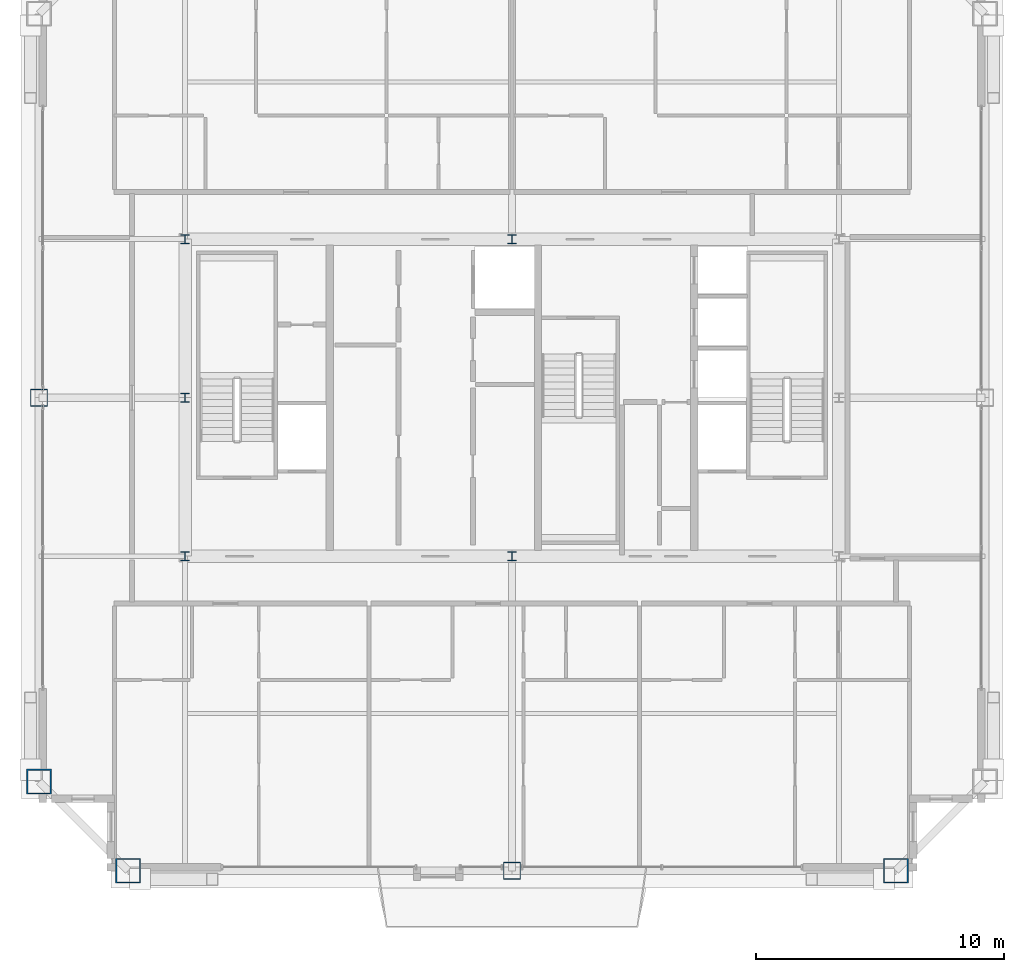
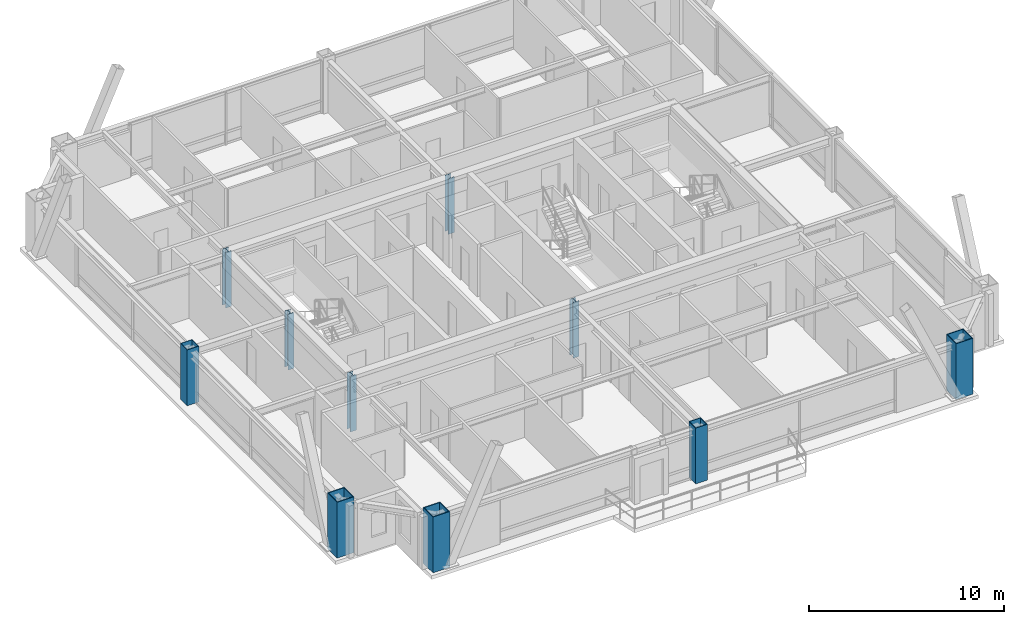
# One storey, part 1 of 35: 10 columns.
"""IFC4 building model written with IfcOpenShell, lengths in metres."""

from ifc_helpers import new_model, si_unit, direction, frame, origin, origin_2d, place, context, subcontext, project, spatial, hollow_rectangle, i_section, extrude, source, transform, mapped, material, material_profile, profile_set, type_object, element, save


model = new_model("IFC4")

# Units and contexts
model_context = context("Model", 3, precision=1e-05, world=origin(), true_north=direction((0.0, 1.0)))
body_context = subcontext(model_context, "Body", "Model", "MODEL_VIEW")
ifc_project = project(units=[si_unit("LENGTHUNIT", "METRE"), si_unit("AREAUNIT", "SQUARE_METRE"), si_unit("VOLUMEUNIT", "CUBIC_METRE"), si_unit("PLANEANGLEUNIT", "RADIAN"), si_unit("MASSUNIT", "GRAM", prefix="KILO"), si_unit("THERMODYNAMICTEMPERATUREUNIT", "KELVIN"), si_unit("POWERUNIT", "WATT")], contexts=[model_context])

# Site, building, storey
site_placement = place(None, origin())
site = spatial("IfcSite", under=ifc_project, at=site_placement, CompositionType="ELEMENT")
building_placement = place(site_placement, origin())
building = spatial("IfcBuilding", under=site, at=building_placement, Name="Yuzanri Waterfront Tower", CompositionType="ELEMENT")
storey_placement = place(building_placement, frame((0.0, 0.0, 314.699951171875)))
storey = spatial("IfcBuildingStorey", under=building, at=storey_placement, Name="L84", CompositionType="ELEMENT", Elevation=314.699951171875)

# Columns
ifc_material_1 = material(Name="Steel Q355B", Category="steel")
ifc_material_profile_1 = material_profile(ifc_material_1, hollow_rectangle(XDim=0.699951171875, YDim=0.699951171875, WallThickness=0.031982421875, at=origin_2d()), Name="RHS 700x700x32")
ifc_profile_set_1 = profile_set([ifc_material_profile_1], Name="Steel Q355B")
column_type_1 = type_object("IfcColumnType", Name="Frame Column Q355B RHS 700x700x32", PredefinedType="COLUMN", material=ifc_profile_set_1)
shared_shape_1 = source(origin(), body_context, "Body", "SweptSolid", [
    extrude(hollow_rectangle(XDim=0.699951171875, YDim=0.699951171875, WallThickness=0.031982421875, at=origin_2d()), origin(), (0.0, 0.0, 1.0), 3.5),
])
for number, where, z_axis, x_axis, name in (
    (1, (37.0, 6.699951171875, 0.0), (0.0, 0.0, 1.0), (1.0, 0.0, 0.0), "L84 Perimeter Frame Column S2"),
    (2, (17.89990234375, 25.800048828125, 0.0), (0.0, 0.0, 1.0), (1.0, 0.0, 0.0), "L84 Perimeter Frame Column W2"),
):
    element("IfcColumn", number, at=place(storey_placement, frame(where, z_axis=z_axis, x_axis=x_axis)), inside=storey, type_object=column_type_1, Name=name, PredefinedType="COLUMN", context=body_context, shape_type="MappedRepresentation", body=[
        mapped(shared_shape_1, transform((0.0, 0.0, 0.0), scale=1.0)),
    ])
ifc_material_2 = material(Name="Steel Q355B", Category="steel")
ifc_material_profile_2 = material_profile(ifc_material_2, i_section(OverallWidth=0.35009765625, OverallDepth=0.35009765625, WebThickness=0.011962890625, FlangeThickness=0.01904296875, at=origin_2d()), Name="HW 350x350x12x19")
ifc_profile_set_2 = profile_set([ifc_material_profile_2], Name="Steel Q355B")
column_type_2 = type_object("IfcColumnType", Name="Core Post Q355B HW 350x350x12x19", PredefinedType="COLUMN", material=ifc_profile_set_2)
shared_shape_2 = source(origin(), body_context, "Body", "SweptSolid", [
    extrude(i_section(OverallWidth=0.35009765625, OverallDepth=0.35009765625, WebThickness=0.011962890625, FlangeThickness=0.01904296875, at=origin_2d()), origin(), (0.0, 0.0, 1.0), 3.5),
])
for number, where, z_axis, x_axis, name in (
    (3, (23.800048828125, 19.39990234375, 0.0), (0.0, 0.0, 1.0), (1.0, 0.0, 0.0), "L84 Core Boundary Column CP1"),
    (4, (37.0, 19.39990234375, 0.0), (0.0, 0.0, 1.0), (1.0, 0.0, 0.0), "L84 Core Boundary Column CP2"),
    (5, (23.800048828125, 25.800048828125, 0.0), (0.0, 0.0, 1.0), (1.0, 0.0, 0.0), "L84 Core Boundary Column CP4"),
    (6, (23.800048828125, 32.199951171875, 0.0), (0.0, 0.0, 1.0), (1.0, 0.0, 0.0), "L84 Core Boundary Column CP6"),
    (7, (37.0, 32.199951171875, 0.0), (0.0, 0.0, 1.0), (1.0, 0.0, 0.0), "L84 Core Boundary Column CP7"),
):
    element("IfcColumn", number, at=place(storey_placement, frame(where, z_axis=z_axis, x_axis=x_axis)), inside=storey, type_object=column_type_2, Name=name, PredefinedType="COLUMN", context=body_context, shape_type="MappedRepresentation", body=[
        mapped(shared_shape_2, transform((0.0, 0.0, 0.0), scale=1.0)),
    ])
ifc_material_3 = material(Name="Steel Q390GJC", Category="steel")
ifc_material_profile_3 = material_profile(ifc_material_3, hollow_rectangle(XDim=1.0, YDim=1.0, WallThickness=0.048095703125, at=origin_2d()), Name="RHS 1000x1000x48")
ifc_profile_set_3 = profile_set([ifc_material_profile_3], Name="Steel Q390GJC")
column_type_3 = type_object("IfcColumnType", Name="Mega Column Q390GJC RHS 1000x1000x48", PredefinedType="COLUMN", material=ifc_profile_set_3)
shared_shape_3 = source(origin(), body_context, "Body", "SweptSolid", [
    extrude(hollow_rectangle(XDim=1.0, YDim=1.0, WallThickness=0.048095703125, at=origin_2d()), origin(), (0.0, 0.0, 1.0), 3.5),
])
for number, where, z_axis, x_axis, name in (
    (8, (21.5, 6.699951171875, 0.0), (0.0, 0.0, 1.0), (1.0, 0.0, 0.0), "L84 Perimeter Mega Column S1"),
    (9, (52.5, 6.699951171875, 0.0), (0.0, 0.0, 1.0), (1.0, 0.0, 0.0), "L84 Perimeter Mega Column S3"),
    (10, (17.89990234375, 10.300048828125, 0.0), (0.0, 0.0, 1.0), (1.0, 0.0, 0.0), "L84 Perimeter Mega Column W1"),
):
    element("IfcColumn", number, at=place(storey_placement, frame(where, z_axis=z_axis, x_axis=x_axis)), inside=storey, type_object=column_type_3, Name=name, PredefinedType="COLUMN", context=body_context, shape_type="MappedRepresentation", body=[
        mapped(shared_shape_3, transform((0.0, 0.0, 0.0), scale=1.0)),
    ])

save(model, "model.ifc")
